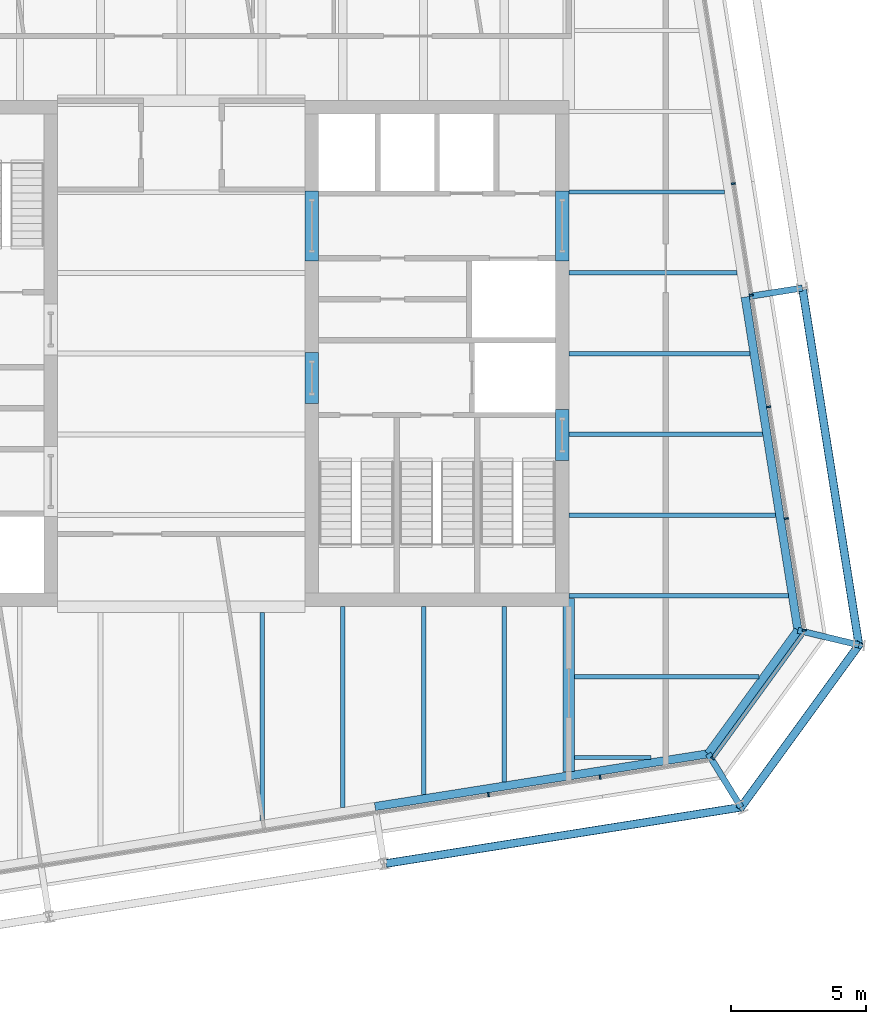
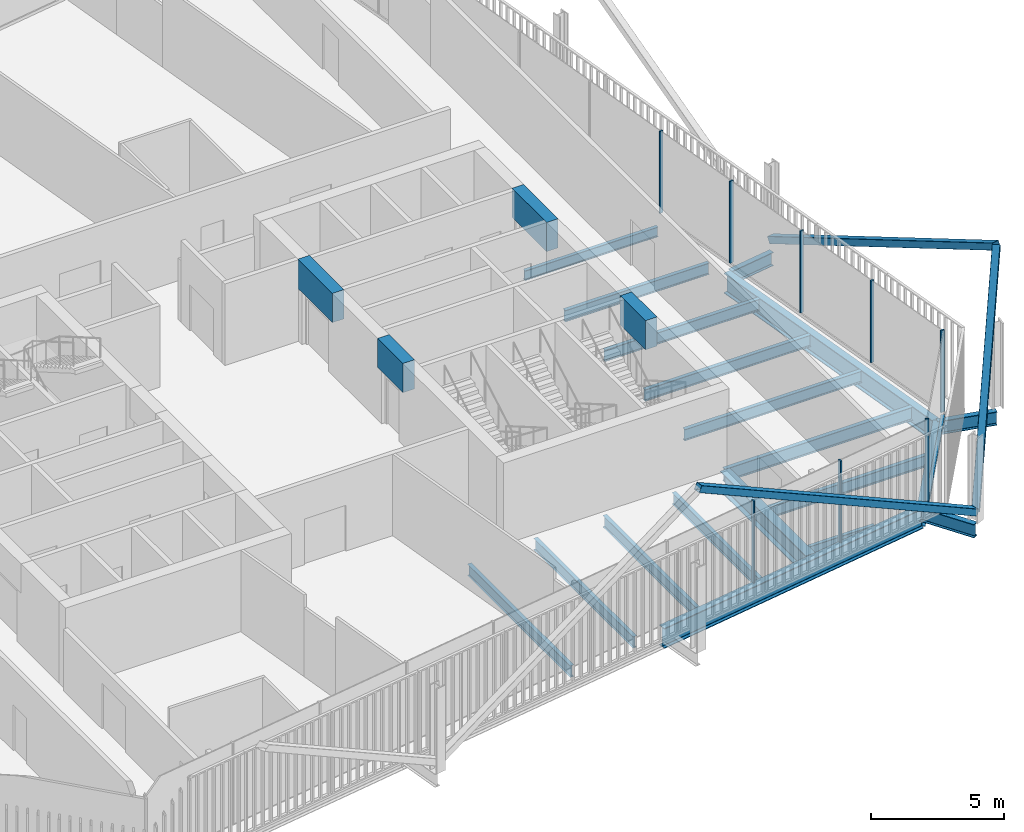
# One storey, part 9 of 21: 23 beams, 12 members, 3 elements without a shape of their own.
"""IFC4 building model written with IfcOpenShell, lengths in metres."""

import ifcopenshell
import ifcopenshell.guid

model = None  # the IFC model being written
_history = None  # IfcOwnerHistory: only IFC2X3 demands one
_inside = {}  # id of a spatial element -> (the spatial element, [elements in it])
_under = {}  # id of a project, library or spatial element -> (it, [spatial elements below it])
_declared = {}  # id of a project -> (the project, [libraries it declares])
_typed = {}  # id of a type object -> (the type object, [elements of that type])
_made_of = {}  # id of a material, layer set ... -> (it, [elements and type objects made of it])


def new_model(schema):
    """Start an empty IFC model of exactly this schema.

    Asked for "IFC4X3", IfcOpenShell would pick the latest addendum, in which some entities
    have other attributes; the version numbers below select the first issue.
    IFC2X3 requires an IfcOwnerHistory on every rooted entity: one is made here for all.
    """
    global model, _history
    if schema == "IFC4X3":
        model = ifcopenshell.file(schema_version=(4, 3, 0, 0))
    else:
        model = ifcopenshell.file(schema=schema)
    _inside.clear()
    _under.clear()
    _declared.clear()
    _typed.clear()
    _made_of.clear()
    _history = None
    if model.schema == "IFC2X3":
        org = make("IfcOrganization", Name="unknown")
        user = make(
            "IfcPersonAndOrganization",
            ThePerson=make("IfcPerson", FamilyName="unknown"),
            TheOrganization=org,
        )
        app = make(
            "IfcApplication",
            ApplicationDeveloper=org,
            Version="unknown",
            ApplicationFullName="unknown",
            ApplicationIdentifier="unknown",
        )
        _history = make(
            "IfcOwnerHistory",
            OwningUser=user,
            OwningApplication=app,
            ChangeAction="ADDED",
            CreationDate=0,
        )
    return model


def make(cls, **values):
    """One entity of the class cls with the attributes given. An attribute that is None is left unset."""
    return model.create_entity(
        cls, **{name: value for name, value in values.items() if value is not None}
    )


def rooted(cls, **values):
    """An entity with a GlobalId (a new one), such as an element, a storey or a relation."""
    return make(cls, GlobalId=ifcopenshell.guid.new(), OwnerHistory=_history, **values)


def si_unit(unit_type, name, prefix=None):
    """IfcSIUnit, for example si_unit("LENGTHUNIT", "METRE", prefix="MILLI")."""
    return make("IfcSIUnit", UnitType=unit_type, Prefix=prefix, Name=name)


def assignment(units):
    """IfcUnitAssignment: the units of a project."""
    return None if units is None else make("IfcUnitAssignment", Units=units)


def point(xyz):
    """IfcCartesianPoint."""
    return None if xyz is None else make("IfcCartesianPoint", Coordinates=xyz)


def direction(xyz):
    """IfcDirection."""
    return None if xyz is None else make("IfcDirection", DirectionRatios=xyz)


def frame(location, z_axis=None, x_axis=None):
    """IfcAxis2Placement3D, a coordinate frame: its origin and axes. An axis left out is left unset."""
    return make(
        "IfcAxis2Placement3D",
        Location=point(location),
        Axis=direction(z_axis),
        RefDirection=direction(x_axis),
    )


def frame_2d(location, x_axis=None):
    """IfcAxis2Placement2D, a coordinate frame in the plane: its origin and x axis."""
    return make(
        "IfcAxis2Placement2D", Location=point(location), RefDirection=direction(x_axis)
    )


def origin():
    """The frame at (0, 0, 0) with its axes left unset."""
    return frame((0.0, 0.0, 0.0))


def origin_2d():
    """The frame at (0, 0) in the plane with its x axis left unset."""
    return frame_2d((0.0, 0.0))


def place(relative_to, where):
    """IfcLocalPlacement: puts the frame where relative to a parent placement (None: the world)."""
    return make(
        "IfcLocalPlacement", PlacementRelTo=relative_to, RelativePlacement=where
    )


def context(
    kind, dimensions, precision=None, world=None, true_north=None, identifier=None
):
    """IfcGeometricRepresentationContext, for example the 3D "Model" context."""
    return make(
        "IfcGeometricRepresentationContext",
        ContextIdentifier=identifier,
        ContextType=kind,
        CoordinateSpaceDimension=dimensions,
        Precision=precision,
        WorldCoordinateSystem=world,
        TrueNorth=true_north,
    )


def subcontext(parent, identifier, kind, view, scale=None):
    """IfcGeometricRepresentationSubContext, for example "Body" below "Model"."""
    return make(
        "IfcGeometricRepresentationSubContext",
        ContextIdentifier=identifier,
        ContextType=kind,
        ParentContext=parent,
        TargetScale=scale,
        TargetView=view,
    )


def project(units=None, contexts=None):
    """IfcProject with its units and contexts."""
    return rooted(
        "IfcProject",
        Name="project",
        RepresentationContexts=contexts,
        UnitsInContext=assignment(units),
    )


def spatial(cls, under=None, at=None, **own):
    """A site, building, storey or space (cls), placed at a placement, below another one or the project."""
    s = rooted(cls, ObjectPlacement=at, **own)
    if under is not None:
        _under.setdefault(under.id(), (under, []))[1].append(s)
    return s


def profile(cls, at=None, kind="AREA", **sizes):
    """A parametric profile (cls). Its sizes go by their IFC names, for example OverallWidth=200.0."""
    return make(cls, ProfileType=kind, Position=at, **sizes)


def rectangle(**sizes):
    """IfcRectangleProfileDef."""
    return profile("IfcRectangleProfileDef", **sizes)


def hollow_rectangle(**sizes):
    """IfcRectangleHollowProfileDef."""
    return profile("IfcRectangleHollowProfileDef", **sizes)


def i_section(**sizes):
    """IfcIShapeProfileDef."""
    return profile("IfcIShapeProfileDef", **sizes)


def extrude(swept, where, along, depth):
    """IfcExtrudedAreaSolid: the profile swept, set in the frame where, extruded along a direction by depth."""
    return make(
        "IfcExtrudedAreaSolid",
        SweptArea=swept,
        Position=where,
        ExtrudedDirection=direction(along),
        Depth=depth,
    )


def shape(context_of_items, identifier, shape_type, items):
    """IfcShapeRepresentation: the items that make up one representation, for example the "Body"."""
    return make(
        "IfcShapeRepresentation",
        ContextOfItems=context_of_items,
        RepresentationIdentifier=identifier,
        RepresentationType=shape_type,
        Items=items,
    )


def material(Name=None, Category=None):
    """IfcMaterial."""
    return make("IfcMaterial", Name=Name, Category=Category)


def layer(
    of_material, thickness, ventilated=None, Name=None, Category=None, Priority=None
):
    """IfcMaterialLayer: one layer of a wall or slab, of a material (None: an air gap)."""
    return make(
        "IfcMaterialLayer",
        Material=of_material,
        LayerThickness=thickness,
        IsVentilated=ventilated,
        Name=Name,
        Category=Category,
        Priority=Priority,
    )


def layer_set(layers, Name=None):
    """IfcMaterialLayerSet."""
    return make("IfcMaterialLayerSet", MaterialLayers=layers, LayerSetName=Name)


def material_profile(
    of_material, cross_section, Name=None, Category=None, Priority=None
):
    """IfcMaterialProfile: a cross section and its material."""
    return make(
        "IfcMaterialProfile",
        Name=Name,
        Material=of_material,
        Profile=cross_section,
        Priority=Priority,
        Category=Category,
    )


def profile_set(profiles, Name=None, composite=None):
    """IfcMaterialProfileSet."""
    return make(
        "IfcMaterialProfileSet",
        Name=Name,
        MaterialProfiles=profiles,
        CompositeProfile=composite,
    )


def made_of(thing, what):
    """Note that an element or type object is made of a material, layer set ...; save() writes the relation."""
    if what is not None:
        _made_of.setdefault(what.id(), (what, []))[1].append(thing)
    return thing


def type_object(cls, material=None, **own):
    """A type object (cls), such as IfcWallType, which elements share."""
    return made_of(rooted(cls, **own), material)


def element(
    cls,
    number,
    at=None,
    inside=None,
    cuts=None,
    type_object=None,
    material=None,
    context=None,
    identifier="Body",
    shape_type=None,
    held_by="IfcProductDefinitionShape",
    body=None,
    shapes=None,
    **own,
):
    """One element of the class cls, such as IfcWall. Its Tag is "e" and its number.

    at: its placement. inside: the storey or other place that contains it. cuts: it is an
    opening in that element (IfcRelVoidsElement). A single representation is given by context,
    identifier, shape_type and body (its items); several are given by shapes. held_by: the class
    of the entity that holds the representations. save() writes the other relations.
    """
    e = rooted(cls, Tag="e%d" % number, ObjectPlacement=at, **own)
    if body is not None:
        shapes = [shape(context, identifier, shape_type, body)]
    if shapes is not None:
        e.Representation = make(held_by, Representations=shapes)
    if inside is not None:
        _inside.setdefault(inside.id(), (inside, []))[1].append(e)
    if cuts is not None:
        rooted(
            "IfcRelVoidsElement", RelatingBuildingElement=cuts, RelatedOpeningElement=e
        )
    if type_object is not None:
        _typed.setdefault(type_object.id(), (type_object, []))[1].append(e)
    return made_of(e, material)


def aggregate(whole, parts):
    """IfcRelAggregates: a whole, such as a stair, and the parts it consists of."""
    return rooted("IfcRelAggregates", RelatingObject=whole, RelatedObjects=parts)


def save(model, path):
    """Write the relations noted so far, then the file.

    IfcRelAggregates (storeys below a building ...), IfcRelContainedInSpatialStructure (elements
    in a storey), IfcRelDefinesByType, IfcRelAssociatesMaterial and IfcRelDeclares: one each for
    every whole, place, type object, material and project.
    """
    for whole, parts in _under.values():
        aggregate(whole, parts)
    for where, things in _inside.values():
        rooted(
            "IfcRelContainedInSpatialStructure",
            RelatedElements=things,
            RelatingStructure=where,
        )
    for kind, things in _typed.values():
        rooted("IfcRelDefinesByType", RelatedObjects=things, RelatingType=kind)
    for what, things in _made_of.values():
        rooted("IfcRelAssociatesMaterial", RelatedObjects=things, RelatingMaterial=what)
    for by, libraries in _declared.values():
        rooted("IfcRelDeclares", RelatingContext=by, RelatedDefinitions=libraries)
    model.write(path)


model = new_model("IFC4")

# Units and contexts
model_context = context("Model", 3, precision=1e-05, world=origin(), true_north=direction((0.0, 1.0)))
body_context = subcontext(model_context, "Body", "Model", "MODEL_VIEW")
ifc_project = project(units=[si_unit("LENGTHUNIT", "METRE"), si_unit("AREAUNIT", "SQUARE_METRE"), si_unit("VOLUMEUNIT", "CUBIC_METRE"), si_unit("PLANEANGLEUNIT", "RADIAN"), si_unit("MASSUNIT", "GRAM", prefix="KILO")], contexts=[model_context])

# Site, building, storey
site_placement = place(None, origin())
site = spatial("IfcSite", under=ifc_project, at=site_placement, CompositionType="ELEMENT")
building_placement = place(site_placement, origin())
building = spatial("IfcBuilding", under=site, at=building_placement, Name="Millrace Tower", CompositionType="ELEMENT")
storey_placement = place(building_placement, frame((0.0, 0.0, 255.199951171875)))
storey = spatial("IfcBuildingStorey", under=building, at=storey_placement, Name="L58", CompositionType="ELEMENT", Elevation=255.199951171875)

# Curtain wall, members
ifc_material_1 = material(Name="Aluminium and glass", Category="aluminium")
ifc_layer = layer(ifc_material_1, 0.14990234375)
ifc_layer_set = layer_set([ifc_layer], Name="Aluminium and glass")
curtain_wall_type = type_object("IfcCurtainWallType", Name="CW-1 office vision curtain wall", PredefinedType="NOTDEFINED", material=ifc_layer_set)
placement = place(storey_placement, origin())
curtain_wall_1 = element("IfcCurtainWall", 1, at=placement, inside=storey, type_object=curtain_wall_type, Name="Curtain wall D-F02 L58", PredefinedType="NOTDEFINED")
ifc_material_2 = material(Name="Aluminium", Category="aluminium")
ifc_material_profile_1 = material_profile(ifc_material_2, rectangle(XDim=0.06494140625, YDim=0.14990234375, at=origin_2d()))
ifc_profile_set_1 = profile_set([ifc_material_profile_1], Name="Aluminium")
member_type_1 = type_object("IfcMemberType", Name="CW-1 office vision curtain wall mullion", PredefinedType="MULLION", material=ifc_profile_set_1)
member_1_placement = place(storey_placement, frame((11.41259765625, -16.393310546875, 0.14013671875), z_axis=(0.0, 0.0, 1.0), x_axis=(0.987688339511, 0.156434471884, 0.0)))
member_1 = element("IfcMember", 2, at=member_1_placement, type_object=member_type_1, Name="CW1 mullion D-F02.8", PredefinedType="MULLION", context=body_context, shape_type="SweptSolid", body=[
    extrude(rectangle(XDim=0.06494140625, YDim=0.14990234375, at=origin_2d()), origin(), (0.0, 0.0, 1.0), 3.760009765625),
])
member_2_placement = place(storey_placement, frame((15.560791015625, -15.736328125, 0.14013671875), z_axis=(0.0, 0.0, 1.0), x_axis=(0.987688339511, 0.156434471884, 0.0)))
member_2 = element("IfcMember", 3, at=member_2_placement, type_object=member_type_1, Name="CW1 mullion D-F02.9", PredefinedType="MULLION", context=body_context, shape_type="SweptSolid", body=[
    extrude(rectangle(XDim=0.06494140625, YDim=0.14990234375, at=origin_2d()), origin(), (0.0, 0.0, 1.0), 3.760009765625),
])
aggregate(curtain_wall_1, [member_1, member_2])

# Curtain wall, member
curtain_wall_2 = element("IfcCurtainWall", 4, at=placement, inside=storey, type_object=curtain_wall_type, Name="Curtain wall D-F03 L58", PredefinedType="NOTDEFINED")
member_3_placement = place(storey_placement, frame((19.7451171875, -15.028076171875, 0.14013671875), z_axis=(0.0, 0.0, 1.0), x_axis=(0.587785305991, 0.809016955361, 0.0)))
member_3 = element("IfcMember", 5, at=member_3_placement, type_object=member_type_1, Name="CW1 mullion D-F03.1", PredefinedType="MULLION", context=body_context, shape_type="SweptSolid", body=[
    extrude(rectangle(XDim=0.06494140625, YDim=0.14990234375, at=origin_2d()), origin(), (0.0, 0.0, 1.0), 3.760009765625),
])

# Curtain wall, members
curtain_wall_3 = element("IfcCurtainWall", 6, at=placement, inside=storey, type_object=curtain_wall_type, Name="Curtain wall D-F04 L58", PredefinedType="NOTDEFINED")
member_4_placement = place(storey_placement, frame((23.142333984375, -10.275390625, 0.14013671875), z_axis=(0.0, 0.0, 1.0), x_axis=(-0.156434471884, 0.987688339511, 0.0)))
member_4 = element("IfcMember", 7, at=member_4_placement, type_object=member_type_1, Name="CW1 mullion D-F04.1", PredefinedType="MULLION", context=body_context, shape_type="SweptSolid", body=[
    extrude(rectangle(XDim=0.06494140625, YDim=0.14990234375, at=origin_2d()), origin(), (0.0, 0.0, 1.0), 3.760009765625),
])
member_5_placement = place(storey_placement, frame((22.4853515625, -6.127197265625, 0.14013671875), z_axis=(0.0, 0.0, 1.0), x_axis=(-0.156434471884, 0.987688339511, 0.0)))
member_5 = element("IfcMember", 8, at=member_5_placement, type_object=member_type_1, Name="CW1 mullion D-F04.2", PredefinedType="MULLION", context=body_context, shape_type="SweptSolid", body=[
    extrude(rectangle(XDim=0.06494140625, YDim=0.14990234375, at=origin_2d()), origin(), (0.0, 0.0, 1.0), 3.760009765625),
])
member_6_placement = place(storey_placement, frame((21.828369140625, -1.97900390625, 0.14013671875), z_axis=(0.0, 0.0, 1.0), x_axis=(-0.156434471884, 0.987688339511, 0.0)))
member_6 = element("IfcMember", 9, at=member_6_placement, type_object=member_type_1, Name="CW1 mullion D-F04.3", PredefinedType="MULLION", context=body_context, shape_type="SweptSolid", body=[
    extrude(rectangle(XDim=0.06494140625, YDim=0.14990234375, at=origin_2d()), origin(), (0.0, 0.0, 1.0), 3.760009765625),
])
member_7_placement = place(storey_placement, frame((21.17138671875, 2.16943359375, 0.14013671875), z_axis=(0.0, 0.0, 1.0), x_axis=(-0.156434471884, 0.987688339511, 0.0)))
member_7 = element("IfcMember", 10, at=member_7_placement, type_object=member_type_1, Name="CW1 mullion D-F04.4", PredefinedType="MULLION", context=body_context, shape_type="SweptSolid", body=[
    extrude(rectangle(XDim=0.06494140625, YDim=0.14990234375, at=origin_2d()), origin(), (0.0, 0.0, 1.0), 3.760009765625),
])
member_8_placement = place(storey_placement, frame((20.514404296875, 6.317626953125, 0.14013671875), z_axis=(0.0, 0.0, 1.0), x_axis=(-0.156434471884, 0.987688339511, 0.0)))
member_8 = element("IfcMember", 11, at=member_8_placement, type_object=member_type_1, Name="CW1 mullion D-F04.5", PredefinedType="MULLION", context=body_context, shape_type="SweptSolid", body=[
    extrude(rectangle(XDim=0.06494140625, YDim=0.14990234375, at=origin_2d()), origin(), (0.0, 0.0, 1.0), 3.760009765625),
])
aggregate(curtain_wall_3, [member_4, member_5, member_6, member_7, member_8])

# Member
ifc_material_3 = material(Name="Aluminium", Category="aluminium")
ifc_material_profile_2 = material_profile(ifc_material_3, rectangle(XDim=0.14990234375, YDim=0.139892578125, at=origin_2d()))
ifc_profile_set_2 = profile_set([ifc_material_profile_2], Name="Aluminium")
member_type_2 = type_object("IfcMemberType", Name="CW-1 office vision curtain wall transom", PredefinedType="USERDEFINED", material=ifc_profile_set_2)
member_9_placement = place(storey_placement, frame((19.78466796875, -14.973388671875, 0.070068359375), z_axis=(0.587811213399, 0.808998131891, 0.0), x_axis=(-0.808998131891, 0.587811213399, 0.0)))
member_9 = element("IfcMember", 12, at=member_9_placement, type_object=member_type_2, Name="CW1 transom D-F03.1", ObjectType="TRANSOM", PredefinedType="USERDEFINED", context=body_context, shape_type="SweptSolid", body=[
    extrude(rectangle(XDim=0.14990234375, YDim=0.139892578125, at=origin_2d()), origin(), (0.0, 0.0, 1.0), 5.598388671875),
])

aggregate(curtain_wall_2, [member_3, member_9])

# Beams
ifc_material_4 = material(Name="Concrete C60", Category="concrete")
ifc_material_profile_3 = material_profile(ifc_material_4, rectangle(XDim=0.5, YDim=1.340087890625, at=origin_2d()))
ifc_profile_set_3 = profile_set([ifc_material_profile_3], Name="Concrete C60")
beam_type_1 = type_object("IfcBeamType", Name="Coupling beam 500 x 1340 Concrete C60, 1300 opening", PredefinedType="BEAM", material=ifc_profile_set_3)
beam_1_placement = place(storey_placement, frame((14.14990234375, -2.080078125, 3.070068359375), z_axis=(0.0, -1.0, 0.0), x_axis=(1.0, 0.0, 0.0)))
element("IfcBeam", 13, at=beam_1_placement, inside=storey, type_object=beam_type_1, Name="Coupling beam E L58", PredefinedType="BEAM", context=body_context, shape_type="SweptSolid", body=[
    extrude(rectangle(XDim=0.5, YDim=1.340087890625, at=origin_2d()), origin(), (0.0, 0.0, 1.0), 1.89990234375),
])
beam_2_placement = place(storey_placement, frame((4.85009765625, 0.050048828125, 3.070068359375), z_axis=(0.0, -1.0, 0.0), x_axis=(1.0, 0.0, 0.0)))
element("IfcBeam", 14, at=beam_2_placement, inside=storey, type_object=beam_type_1, Name="Coupling beam E L58", PredefinedType="BEAM", context=body_context, shape_type="SweptSolid", body=[
    extrude(rectangle(XDim=0.5, YDim=1.340087890625, at=origin_2d()), origin(), (0.0, 0.0, 1.0), 1.900146484375),
])
ifc_material_5 = material(Name="Concrete C60", Category="concrete")
ifc_material_profile_4 = material_profile(ifc_material_5, rectangle(XDim=0.5, YDim=1.340087890625, at=origin_2d()))
ifc_profile_set_4 = profile_set([ifc_material_profile_4], Name="Concrete C60")
beam_type_2 = type_object("IfcBeamType", Name="Coupling beam 500 x 1340 Concrete C60, 2000 opening", PredefinedType="BEAM", material=ifc_profile_set_4)
for number, where, z_axis, x_axis, name in (
    (15, (14.14990234375, 6.050048828125, 3.070068359375), (0.0, -1.0, 0.0), (1.0, 0.0, 0.0), "Coupling beam E L58"),
    (16, (4.85009765625, 6.050048828125, 3.070068359375), (0.0, -1.0, 0.0), (1.0, 0.0, 0.0), "Coupling beam E L58"),
):
    element("IfcBeam", number, at=place(storey_placement, frame(where, z_axis=z_axis, x_axis=x_axis)), inside=storey, type_object=beam_type_2, Name=name, PredefinedType="BEAM", context=body_context, shape_type="SweptSolid", body=[
        extrude(rectangle(XDim=0.5, YDim=1.340087890625, at=origin_2d()), origin(), (0.0, 0.0, 1.0), 2.60009765625),
    ])

# Members
ifc_material_6 = material(Name="Steel ASTM A500 Grade C", Category="steel")
ifc_material_profile_5 = material_profile(ifc_material_6, hollow_rectangle(XDim=0.3046875, YDim=0.3046875, WallThickness=0.009521484375, InnerFilletRadius=0.004638671875, OuterFilletRadius=0.014404296875, at=origin_2d()))
ifc_profile_set_5 = profile_set([ifc_material_profile_5], Name="Steel ASTM A500 Grade C")
member_type_3 = type_object("IfcMemberType", Name="Exoskeleton brace HSS12x12x3/8", PredefinedType="BRACE", material=ifc_profile_set_5)
member_10_placement = place(storey_placement, frame((20.79638671875, -16.85595703125, 0.400146484375), z_axis=(-0.875833559472, -0.13872819238, 0.462244594065), x_axis=(0.156445228811, -0.987686635721, 0.0)))
element("IfcMember", 17, at=member_10_placement, inside=storey, type_object=member_type_3, Name="BRC-D-L58-04", PredefinedType="BRACE", context=body_context, shape_type="SweptSolid", body=[
    extrude(hollow_rectangle(XDim=0.3046875, YDim=0.3046875, WallThickness=0.009521484375, InnerFilletRadius=0.004638671875, OuterFilletRadius=0.014404296875, at=origin_2d()), origin(), (0.0, 0.0, 1.0), 15.1435546875),
])
member_11_placement = place(storey_placement, frame((20.79638671875, -16.85595703125, 0.400146484375), z_axis=(0.42850795905, 0.589774395252, 0.684504997598), x_axis=(-0.809009310944, 0.587795827483, 0.0)))
element("IfcMember", 18, at=member_11_placement, inside=storey, type_object=member_type_3, Name="BRC-D-L58-05", PredefinedType="BRACE", context=body_context, shape_type="SweptSolid", body=[
    extrude(hollow_rectangle(XDim=0.3046875, YDim=0.3046875, WallThickness=0.009521484375, InnerFilletRadius=0.004638671875, OuterFilletRadius=0.014404296875, at=origin_2d()), origin(), (0.0, 0.0, 1.0), 10.226318359375),
])
member_12_placement = place(storey_placement, frame((23.07763671875, 2.4384765625, 0.400146484375), z_axis=(0.13872819238, -0.875833559472, 0.462244594065), x_axis=(0.987686635721, 0.156445228811, 0.0)))
element("IfcMember", 19, at=member_12_placement, inside=storey, type_object=member_type_3, Name="BRC-D-L58-06", PredefinedType="BRACE", context=body_context, shape_type="SweptSolid", body=[
    extrude(hollow_rectangle(XDim=0.3046875, YDim=0.3046875, WallThickness=0.009521484375, InnerFilletRadius=0.004638671875, OuterFilletRadius=0.014404296875, at=origin_2d()), origin(), (0.0, 0.0, 1.0), 15.1435546875),
])

# Beams
ifc_material_7 = material(Name="Steel ASTM A992 Grade 50", Category="steel")
ifc_material_profile_6 = material_profile(ifc_material_7, i_section(OverallWidth=0.15234375, OverallDepth=0.449462890625, WebThickness=0.007568359375, FlangeThickness=0.0107421875, FilletRadius=0.01025390625, at=origin_2d()))
ifc_profile_set_6 = profile_set([ifc_material_profile_6], Name="Steel ASTM A992 Grade 50")
beam_type_3 = type_object("IfcBeamType", Name="Floor beam W18x35", PredefinedType="JOIST", material=ifc_profile_set_6)
beam_3_placement = place(storey_placement, frame((14.39990234375, 6.0, -0.384765625), z_axis=(1.0, 0.0, 0.0), x_axis=(0.0, 1.0, 0.0)))
element("IfcBeam", 20, at=beam_3_placement, inside=storey, type_object=beam_type_3, Name="BM-D-L58-S1-S022", PredefinedType="JOIST", context=body_context, shape_type="SweptSolid", body=[
    extrude(i_section(OverallWidth=0.15234375, OverallDepth=0.449462890625, WebThickness=0.007568359375, FlangeThickness=0.0107421875, FilletRadius=0.01025390625, at=origin_2d()), origin(), (0.0, 0.0, 1.0), 5.777587890625),
])
beam_4_placement = place(storey_placement, frame((14.609619140625, -15.0, -0.384765625), z_axis=(1.0, 0.0, 0.0), x_axis=(0.0, 1.0, 0.0)))
element("IfcBeam", 21, at=beam_4_placement, inside=storey, type_object=beam_type_3, Name="BM-D-L58-S1-S003", PredefinedType="JOIST", context=body_context, shape_type="SweptSolid", body=[
    extrude(i_section(OverallWidth=0.15234375, OverallDepth=0.449462890625, WebThickness=0.007568359375, FlangeThickness=0.0107421875, FilletRadius=0.01025390625, at=origin_2d()), origin(), (0.0, 0.0, 1.0), 2.839599609375),
])
ifc_material_8 = material(Name="Steel ASTM A992 Grade 50", Category="steel")
ifc_material_profile_7 = material_profile(ifc_material_8, i_section(OverallWidth=0.1650390625, OverallDepth=0.52587890625, WebThickness=0.0087890625, FlangeThickness=0.011474609375, FilletRadius=0.0126953125, at=origin_2d()))
ifc_profile_set_7 = profile_set([ifc_material_profile_7], Name="Steel ASTM A992 Grade 50")
beam_type_4 = type_object("IfcBeamType", Name="Floor beam W21x44", PredefinedType="JOIST", material=ifc_profile_set_7)
beam_5_placement = place(storey_placement, frame((14.609619140625, -12.0, -0.4228515625), z_axis=(1.0, 0.0, 0.0), x_axis=(0.0, 1.0, 0.0)))
element("IfcBeam", 22, at=beam_5_placement, inside=storey, type_object=beam_type_4, Name="BM-D-L58-S1-S005", PredefinedType="JOIST", context=body_context, shape_type="SweptSolid", body=[
    extrude(i_section(OverallWidth=0.1650390625, OverallDepth=0.52587890625, WebThickness=0.0087890625, FlangeThickness=0.011474609375, FilletRadius=0.0126953125, at=origin_2d()), origin(), (0.0, 0.0, 1.0), 6.86279296875),
])
beam_6_placement = place(storey_placement, frame((14.39990234375, -6.0, -0.4228515625), z_axis=(1.0, 0.0, 0.0), x_axis=(0.0, 1.0, 0.0)))
element("IfcBeam", 23, at=beam_6_placement, inside=storey, type_object=beam_type_4, Name="BM-D-L58-S1-S010", PredefinedType="JOIST", context=body_context, shape_type="SweptSolid", body=[
    extrude(i_section(OverallWidth=0.1650390625, OverallDepth=0.52587890625, WebThickness=0.0087890625, FlangeThickness=0.011474609375, FilletRadius=0.0126953125, at=origin_2d()), origin(), (0.0, 0.0, 1.0), 7.67822265625),
])
beam_7_placement = place(storey_placement, frame((14.39990234375, -3.0, -0.4228515625), z_axis=(1.0, 0.0, 0.0), x_axis=(0.0, 1.0, 0.0)))
element("IfcBeam", 24, at=beam_7_placement, inside=storey, type_object=beam_type_4, Name="BM-D-L58-S1-S013", PredefinedType="JOIST", context=body_context, shape_type="SweptSolid", body=[
    extrude(i_section(OverallWidth=0.1650390625, OverallDepth=0.52587890625, WebThickness=0.0087890625, FlangeThickness=0.011474609375, FilletRadius=0.0126953125, at=origin_2d()), origin(), (0.0, 0.0, 1.0), 7.203125),
])
beam_8_placement = place(storey_placement, frame((14.39990234375, 0.0, -0.4228515625), z_axis=(1.0, 0.0, 0.0), x_axis=(0.0, 1.0, 0.0)))
element("IfcBeam", 25, at=beam_8_placement, inside=storey, type_object=beam_type_4, Name="BM-D-L58-S1-S016", PredefinedType="JOIST", context=body_context, shape_type="SweptSolid", body=[
    extrude(i_section(OverallWidth=0.1650390625, OverallDepth=0.52587890625, WebThickness=0.0087890625, FlangeThickness=0.011474609375, FilletRadius=0.0126953125, at=origin_2d()), origin(), (0.0, 0.0, 1.0), 6.72802734375),
])
beam_9_placement = place(storey_placement, frame((14.39990234375, 3.0, -0.4228515625), z_axis=(1.0, 0.0, 0.0), x_axis=(0.0, 1.0, 0.0)))
element("IfcBeam", 26, at=beam_9_placement, inside=storey, type_object=beam_type_4, Name="BM-D-L58-S1-S019", PredefinedType="JOIST", context=body_context, shape_type="SweptSolid", body=[
    extrude(i_section(OverallWidth=0.1650390625, OverallDepth=0.52587890625, WebThickness=0.0087890625, FlangeThickness=0.011474609375, FilletRadius=0.0126953125, at=origin_2d()), origin(), (0.0, 0.0, 1.0), 6.252685546875),
])
beam_10_placement = place(storey_placement, frame((3.0, -17.338623046875, -0.4228515625), z_axis=(0.0, 1.0, 0.0), x_axis=(-1.0, 0.0, 0.0)))
element("IfcBeam", 27, at=beam_10_placement, inside=storey, type_object=beam_type_4, Name="BM-D-L58-S1-S047", PredefinedType="JOIST", context=body_context, shape_type="SweptSolid", body=[
    extrude(i_section(OverallWidth=0.1650390625, OverallDepth=0.52587890625, WebThickness=0.0087890625, FlangeThickness=0.011474609375, FilletRadius=0.0126953125, at=origin_2d()), origin(), (0.0, 0.0, 1.0), 7.72900390625),
])
beam_11_placement = place(storey_placement, frame((6.0, -16.863525390625, -0.4228515625), z_axis=(0.0, 1.0, 0.0), x_axis=(-1.0, 0.0, 0.0)))
element("IfcBeam", 28, at=beam_11_placement, inside=storey, type_object=beam_type_4, Name="BM-D-L58-S1-S049", PredefinedType="JOIST", context=body_context, shape_type="SweptSolid", body=[
    extrude(i_section(OverallWidth=0.1650390625, OverallDepth=0.52587890625, WebThickness=0.0087890625, FlangeThickness=0.011474609375, FilletRadius=0.0126953125, at=origin_2d()), origin(), (0.0, 0.0, 1.0), 7.463623046875),
])
beam_12_placement = place(storey_placement, frame((9.0, -16.38818359375, -0.4228515625), z_axis=(0.0, 1.0, 0.0), x_axis=(-1.0, 0.0, 0.0)))
element("IfcBeam", 29, at=beam_12_placement, inside=storey, type_object=beam_type_4, Name="BM-D-L58-S1-S051", PredefinedType="JOIST", context=body_context, shape_type="SweptSolid", body=[
    extrude(i_section(OverallWidth=0.1650390625, OverallDepth=0.52587890625, WebThickness=0.0087890625, FlangeThickness=0.011474609375, FilletRadius=0.0126953125, at=origin_2d()), origin(), (0.0, 0.0, 1.0), 6.98828125),
])
beam_13_placement = place(storey_placement, frame((12.0, -15.9130859375, -0.4228515625), z_axis=(0.0, 1.0, 0.0), x_axis=(-1.0, 0.0, 0.0)))
element("IfcBeam", 30, at=beam_13_placement, inside=storey, type_object=beam_type_4, Name="BM-D-L58-S1-S053", PredefinedType="JOIST", context=body_context, shape_type="SweptSolid", body=[
    extrude(i_section(OverallWidth=0.1650390625, OverallDepth=0.52587890625, WebThickness=0.0087890625, FlangeThickness=0.011474609375, FilletRadius=0.0126953125, at=origin_2d()), origin(), (0.0, 0.0, 1.0), 6.51318359375),
])
ifc_material_9 = material(Name="Steel ASTM A992 Grade 50", Category="steel")
ifc_material_profile_8 = material_profile(ifc_material_9, i_section(OverallWidth=0.177978515625, OverallDepth=0.599365234375, WebThickness=0.010009765625, FlangeThickness=0.012939453125, FilletRadius=0.012939453125, at=origin_2d()))
ifc_profile_set_8 = profile_set([ifc_material_profile_8], Name="Steel ASTM A992 Grade 50")
beam_type_5 = type_object("IfcBeamType", Name="Floor beam W24x55", PredefinedType="JOIST", material=ifc_profile_set_8)
beam_14_placement = place(storey_placement, frame((14.39990234375, -9.0, -0.459716796875), z_axis=(1.0, 0.0, 0.0), x_axis=(0.0, 1.0, 0.0)))
element("IfcBeam", 31, at=beam_14_placement, inside=storey, type_object=beam_type_5, Name="BM-D-L58-S1-S007", PredefinedType="JOIST", context=body_context, shape_type="SweptSolid", body=[
    extrude(i_section(OverallWidth=0.177978515625, OverallDepth=0.599365234375, WebThickness=0.010009765625, FlangeThickness=0.012939453125, FilletRadius=0.012939453125, at=origin_2d()), origin(), (0.0, 0.0, 1.0), 8.1533203125),
])
ifc_material_10 = material(Name="Steel ASTM A992 Grade 50", Category="steel")
ifc_material_profile_9 = material_profile(ifc_material_10, i_section(OverallWidth=0.419189453125, OverallDepth=0.927001953125, WebThickness=0.019287109375, FlangeThickness=0.031982421875, FilletRadius=0.024169921875, at=origin_2d()))
ifc_profile_set_9 = profile_set([ifc_material_profile_9], Name="Steel ASTM A992 Grade 50")
beam_type_6 = type_object("IfcBeamType", Name="Girder short span W36x231", PredefinedType="BEAM", material=ifc_profile_set_9)
beam_15_placement = place(storey_placement, frame((14.39990234375, -15.52490234375, -0.62353515625), z_axis=(0.0, 1.0, 0.0), x_axis=(-1.0, 0.0, 0.0)))
element("IfcBeam", 32, at=beam_15_placement, inside=storey, type_object=beam_type_6, Name="BM-D-L58-S1-G057", PredefinedType="BEAM", context=body_context, shape_type="SweptSolid", body=[
    extrude(i_section(OverallWidth=0.419189453125, OverallDepth=0.927001953125, WebThickness=0.019287109375, FlangeThickness=0.031982421875, FilletRadius=0.024169921875, at=origin_2d()), origin(), (0.0, 0.0, 1.0), 6.432861328125),
])
ifc_material_11 = material(Name="Steel ASTM A992 Grade 50", Category="steel")
ifc_material_profile_10 = material_profile(ifc_material_11, i_section(OverallWidth=0.23046875, OverallDepth=0.6171875, WebThickness=0.01318359375, FlangeThickness=0.022216796875, FilletRadius=0.012939453125, at=origin_2d()))
ifc_profile_set_10 = profile_set([ifc_material_profile_10], Name="Steel ASTM A992 Grade 50")
beam_type_7 = type_object("IfcBeamType", Name="Link beam W24x94", PredefinedType="BEAM", material=ifc_profile_set_10)
beam_16_placement = place(storey_placement, frame((21.102294921875, 2.12548828125, -0.468505859375), z_axis=(0.987678691416, 0.156495375404, 0.0), x_axis=(-0.156495375404, 0.987678691416, 0.0)))
element("IfcBeam", 33, at=beam_16_placement, inside=storey, type_object=beam_type_7, Name="LNK-D-L58-S1-11", PredefinedType="BEAM", context=body_context, shape_type="SweptSolid", body=[
    extrude(i_section(OverallWidth=0.23046875, OverallDepth=0.6171875, WebThickness=0.01318359375, FlangeThickness=0.022216796875, FilletRadius=0.012939453125, at=origin_2d()), origin(), (0.0, 0.0, 1.0), 2.0),
])
beam_17_placement = place(storey_placement, frame((22.91162109375, -10.280517578125, -0.468505859375), z_axis=(0.972373041068, -0.233432364948, 0.0), x_axis=(0.233432364948, 0.972373041068, 0.0)))
element("IfcBeam", 34, at=beam_17_placement, inside=storey, type_object=beam_type_7, Name="LNK-D-L58-S1-12", PredefinedType="BEAM", context=body_context, shape_type="SweptSolid", body=[
    extrude(i_section(OverallWidth=0.23046875, OverallDepth=0.6171875, WebThickness=0.01318359375, FlangeThickness=0.022216796875, FilletRadius=0.012939453125, at=origin_2d()), origin(), (0.0, 0.0, 1.0), 2.331298828125),
])
beam_18_placement = place(storey_placement, frame((19.578369140625, -14.868408203125, -0.468505859375), z_axis=(0.522512938711, -0.852631355792, 0.0), x_axis=(0.852631355792, 0.522512938711, 0.0)))
element("IfcBeam", 35, at=beam_18_placement, inside=storey, type_object=beam_type_7, Name="LNK-D-L58-S1-13", PredefinedType="BEAM", context=body_context, shape_type="SweptSolid", body=[
    extrude(i_section(OverallWidth=0.23046875, OverallDepth=0.6171875, WebThickness=0.01318359375, FlangeThickness=0.022216796875, FilletRadius=0.012939453125, at=origin_2d()), origin(), (0.0, 0.0, 1.0), 2.3310546875),
])
ifc_material_12 = material(Name="Steel ASTM A992 Grade 50", Category="steel")
ifc_material_profile_11 = material_profile(ifc_material_12, i_section(OverallWidth=0.307373046875, OverallDepth=0.927001953125, WebThickness=0.01953125, FlangeThickness=0.031982421875, FilletRadius=0.01904296875, at=origin_2d()))
ifc_profile_set_11 = profile_set([ifc_material_profile_11], Name="Steel ASTM A992 Grade 50")
beam_type_8 = type_object("IfcBeamType", Name="Ring beam medium span W36x194", PredefinedType="SPANDREL", material=ifc_profile_set_11)
for number, where, z_axis, x_axis, name in (
    (36, (20.95068359375, 2.1015625, -0.62353515625), (0.156419577072, -0.987690698503, 0.0), (0.987690698503, 0.156419577072, 0.0), "RNG-D-L58-S1-11"),
    (37, (19.578369140625, -14.868408203125, -0.62353515625), (-0.987687689625, -0.156438575049, 0.0), (0.156438575049, -0.987687689625, 0.0), "RNG-D-L58-S1-13"),
):
    element("IfcBeam", number, at=place(storey_placement, frame(where, z_axis=z_axis, x_axis=x_axis)), inside=storey, type_object=beam_type_8, Name=name, PredefinedType="SPANDREL", context=body_context, shape_type="SweptSolid", body=[
        extrude(i_section(OverallWidth=0.307373046875, OverallDepth=0.927001953125, WebThickness=0.01953125, FlangeThickness=0.031982421875, FilletRadius=0.01904296875, at=origin_2d()), origin(), (0.0, 0.0, 1.0), 12.536376953125),
    ])
ifc_material_13 = material(Name="Steel ASTM A992 Grade 50", Category="steel")
ifc_material_profile_12 = material_profile(ifc_material_13, i_section(OverallWidth=0.307373046875, OverallDepth=0.927001953125, WebThickness=0.01953125, FlangeThickness=0.031982421875, FilletRadius=0.01904296875, at=origin_2d()))
ifc_profile_set_12 = profile_set([ifc_material_profile_12], Name="Steel ASTM A992 Grade 50")
beam_type_9 = type_object("IfcBeamType", Name="Ring beam short span W36x194", PredefinedType="SPANDREL", material=ifc_profile_set_12)
beam_19_placement = place(storey_placement, frame((22.91162109375, -10.280517578125, -0.62353515625), z_axis=(-0.587779977844, -0.80902082646, 0.0), x_axis=(0.80902082646, -0.587779977844, 0.0)))
element("IfcBeam", 38, at=beam_19_placement, inside=storey, type_object=beam_type_9, Name="RNG-D-L58-S1-12", PredefinedType="SPANDREL", context=body_context, shape_type="SweptSolid", body=[
    extrude(i_section(OverallWidth=0.307373046875, OverallDepth=0.927001953125, WebThickness=0.01953125, FlangeThickness=0.031982421875, FilletRadius=0.01904296875, at=origin_2d()), origin(), (0.0, 0.0, 1.0), 5.6708984375),
])

save(model, "model.ifc")
